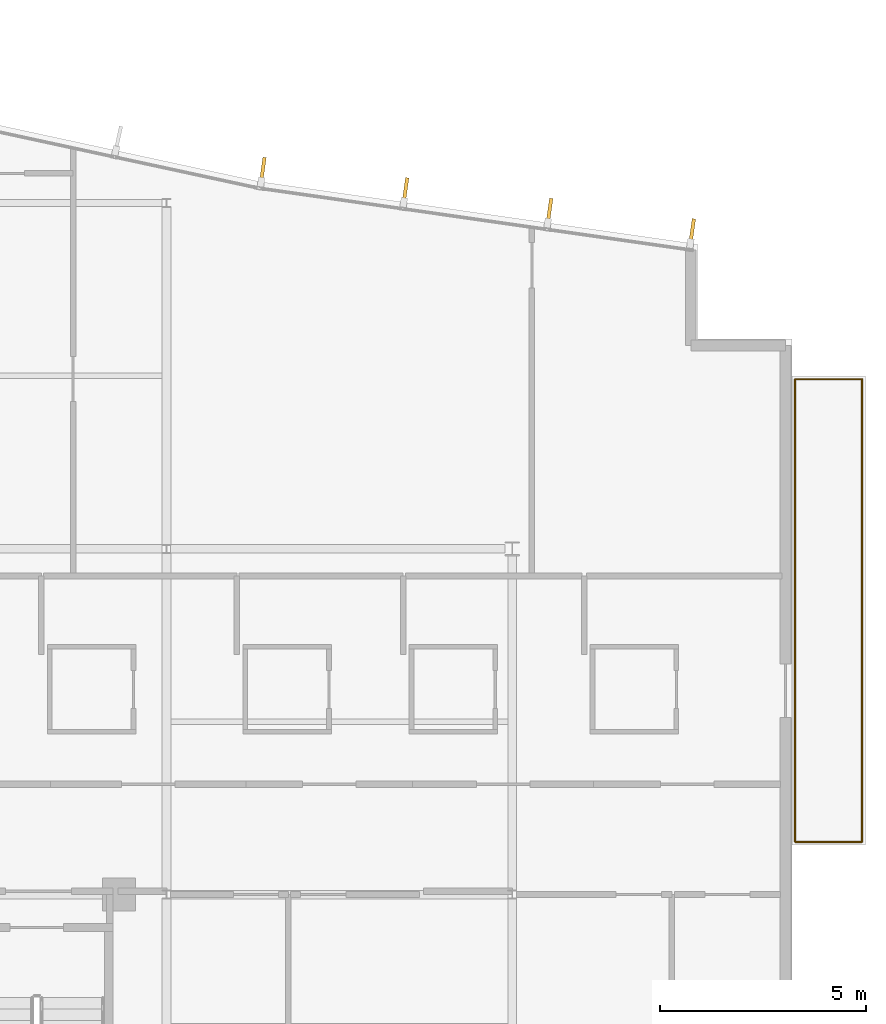
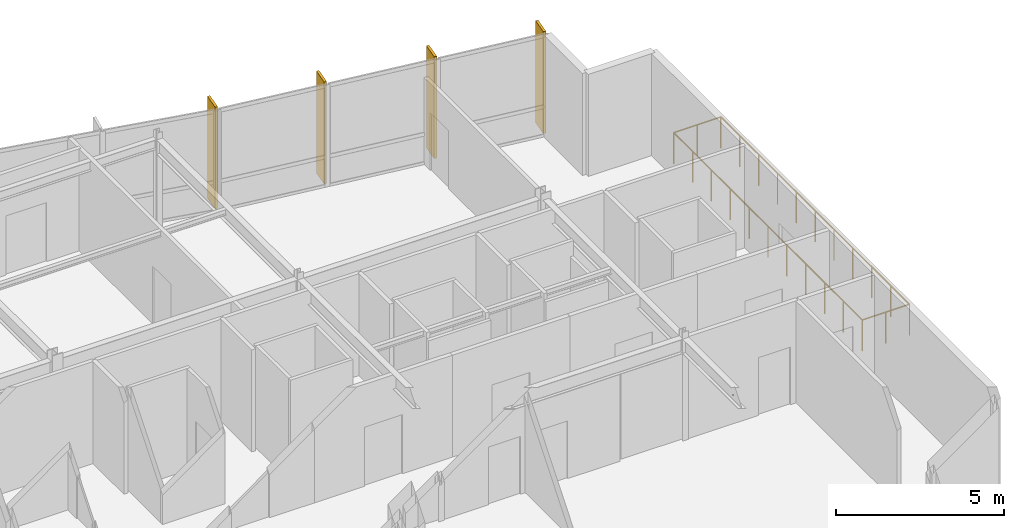
# One storey, part 15 of 16: 4 railings, 4 shading devices.
"""IFC4 building model written with IfcOpenShell, lengths in metres."""

from ifc_helpers import new_model, si_unit, direction, frame, origin, origin_2d, place, context, subcontext, project, spatial, rectangle, circle, extrude, material, layer, layer_set, type_object, element, save


model = new_model("IFC4")

# Units and contexts
model_context = context("Model", 3, precision=1e-05, world=origin(), true_north=direction((0.0, 1.0)))
body_context = subcontext(model_context, "Body", "Model", "MODEL_VIEW")
ifc_project = project(units=[si_unit("LENGTHUNIT", "METRE"), si_unit("AREAUNIT", "SQUARE_METRE"), si_unit("VOLUMEUNIT", "CUBIC_METRE"), si_unit("PLANEANGLEUNIT", "RADIAN"), si_unit("MASSUNIT", "GRAM", prefix="KILO")], contexts=[model_context])

# Site, building, storey
site_placement = place(None, origin())
site = spatial("IfcSite", under=ifc_project, at=site_placement, CompositionType="ELEMENT")
building_placement = place(site_placement, origin())
building = spatial("IfcBuilding", under=site, at=building_placement, Name="Varnakote Quay Hospital", CompositionType="ELEMENT")
storey_placement = place(building_placement, frame((0.0, 0.0, 296.050048828125)))
storey = spatial("IfcBuildingStorey", under=building, at=storey_placement, Name="L73", CompositionType="ELEMENT", Elevation=296.050048828125)

# Railings
ifc_material_1 = material(Name="Anodised aluminium 6063-T6 Bronze", Category="aluminium")
railing_type = type_object("IfcRailingType", Name="RLG-EXT-GUARD-1150", PredefinedType="GUARDRAIL", material=ifc_material_1)
railing_1_placement = place(storey_placement, frame((40.47607421875, 13.280029296875, 0.0)))
element("IfcRailing", 1, at=railing_1_placement, inside=storey, type_object=railing_type, Name="L73 Zigzag Prow Healing Terrace Safety Guard", PredefinedType="GUARDRAIL", context=body_context, shape_type="SweptSolid", body=[
    extrude(circle(Radius=0.02392578125, at=origin_2d()), frame((0.0, 0.0, 1.1259765625), z_axis=(0.0, 1.0, 0.0), x_axis=(-1.0, 0.0, 0.0)), (0.0, 0.0, 1.0), 11.239990234375),
    extrude(circle(Radius=0.02099609375, at=origin_2d()), origin(), (0.0, 0.0, 1.0), 1.101806640625),
    extrude(circle(Radius=0.02099609375, at=origin_2d()), frame((0.0, 1.1240234375, 0.0)), (0.0, 0.0, 1.0), 1.101806640625),
    extrude(circle(Radius=0.02099609375, at=origin_2d()), frame((0.0, 2.248046875, 0.0)), (0.0, 0.0, 1.0), 1.101806640625),
    extrude(circle(Radius=0.02099609375, at=origin_2d()), frame((0.0, 3.3720703125, 0.0)), (0.0, 0.0, 1.0), 1.101806640625),
    extrude(circle(Radius=0.02099609375, at=origin_2d()), frame((0.0, 4.49609375, 0.0)), (0.0, 0.0, 1.0), 1.101806640625),
    extrude(circle(Radius=0.02099609375, at=origin_2d()), frame((0.0, 5.6201171875, 0.0)), (0.0, 0.0, 1.0), 1.101806640625),
    extrude(circle(Radius=0.02099609375, at=origin_2d()), frame((0.0, 6.743896484375, 0.0)), (0.0, 0.0, 1.0), 1.101806640625),
    extrude(circle(Radius=0.02099609375, at=origin_2d()), frame((0.0, 7.867919921875, 0.0)), (0.0, 0.0, 1.0), 1.101806640625),
    extrude(circle(Radius=0.02099609375, at=origin_2d()), frame((0.0, 8.991943359375, 0.0)), (0.0, 0.0, 1.0), 1.101806640625),
    extrude(circle(Radius=0.02099609375, at=origin_2d()), frame((0.0, 10.115966796875, 0.0)), (0.0, 0.0, 1.0), 1.101806640625),
    extrude(circle(Radius=0.02099609375, at=origin_2d()), frame((0.0, 11.239990234375, 0.0)), (0.0, 0.0, 1.0), 1.101806640625),
])
railing_2_placement = place(storey_placement, frame((40.47607421875, 24.52001953125, 0.0)))
element("IfcRailing", 2, at=railing_2_placement, inside=storey, type_object=railing_type, Name="L73 Zigzag Prow Healing Terrace Safety Guard", PredefinedType="GUARDRAIL", context=body_context, shape_type="SweptSolid", body=[
    extrude(circle(Radius=0.02392578125, at=origin_2d()), frame((0.0, 0.0, 1.1259765625), z_axis=(1.0, 0.0, 0.0), x_axis=(0.0, 1.0, 0.0)), (0.0, 0.0, 1.0), 1.6240234375),
    extrude(circle(Radius=0.02099609375, at=origin_2d()), origin(), (0.0, 0.0, 1.0), 1.101806640625),
    extrude(circle(Radius=0.02099609375, at=origin_2d()), frame((0.81201171875, 0.0, 0.0)), (0.0, 0.0, 1.0), 1.101806640625),
    extrude(circle(Radius=0.02099609375, at=origin_2d()), frame((1.6240234375, 0.0, 0.0)), (0.0, 0.0, 1.0), 1.101806640625),
])
railing_3_placement = place(storey_placement, frame((42.10009765625, 24.52001953125, 0.0)))
element("IfcRailing", 3, at=railing_3_placement, inside=storey, type_object=railing_type, Name="L73 Zigzag Prow Healing Terrace Safety Guard", PredefinedType="GUARDRAIL", context=body_context, shape_type="SweptSolid", body=[
    extrude(circle(Radius=0.02392578125, at=origin_2d()), frame((0.0, 0.0, 1.1259765625), z_axis=(0.0, -1.0, 0.0), x_axis=(1.0, 0.0, 0.0)), (0.0, 0.0, 1.0), 11.239990234375),
    extrude(circle(Radius=0.02099609375, at=origin_2d()), origin(), (0.0, 0.0, 1.0), 1.101806640625),
    extrude(circle(Radius=0.02099609375, at=origin_2d()), frame((0.0, -1.1240234375, 0.0)), (0.0, 0.0, 1.0), 1.101806640625),
    extrude(circle(Radius=0.02099609375, at=origin_2d()), frame((0.0, -2.248046875, 0.0)), (0.0, 0.0, 1.0), 1.101806640625),
    extrude(circle(Radius=0.02099609375, at=origin_2d()), frame((0.0, -3.3720703125, 0.0)), (0.0, 0.0, 1.0), 1.101806640625),
    extrude(circle(Radius=0.02099609375, at=origin_2d()), frame((0.0, -4.49609375, 0.0)), (0.0, 0.0, 1.0), 1.101806640625),
    extrude(circle(Radius=0.02099609375, at=origin_2d()), frame((0.0, -5.6201171875, 0.0)), (0.0, 0.0, 1.0), 1.101806640625),
    extrude(circle(Radius=0.02099609375, at=origin_2d()), frame((0.0, -6.743896484375, 0.0)), (0.0, 0.0, 1.0), 1.101806640625),
    extrude(circle(Radius=0.02099609375, at=origin_2d()), frame((0.0, -7.867919921875, 0.0)), (0.0, 0.0, 1.0), 1.101806640625),
    extrude(circle(Radius=0.02099609375, at=origin_2d()), frame((0.0, -8.991943359375, 0.0)), (0.0, 0.0, 1.0), 1.101806640625),
    extrude(circle(Radius=0.02099609375, at=origin_2d()), frame((0.0, -10.115966796875, 0.0)), (0.0, 0.0, 1.0), 1.101806640625),
    extrude(circle(Radius=0.02099609375, at=origin_2d()), frame((0.0, -11.239990234375, 0.0)), (0.0, 0.0, 1.0), 1.101806640625),
])
railing_4_placement = place(storey_placement, frame((42.10009765625, 13.280029296875, 0.0)))
element("IfcRailing", 4, at=railing_4_placement, inside=storey, type_object=railing_type, Name="L73 Zigzag Prow Healing Terrace Safety Guard", PredefinedType="GUARDRAIL", context=body_context, shape_type="SweptSolid", body=[
    extrude(circle(Radius=0.02392578125, at=origin_2d()), frame((0.0, 0.0, 1.1259765625), z_axis=(-1.0, 0.0, 0.0), x_axis=(0.0, -1.0, 0.0)), (0.0, 0.0, 1.0), 1.6240234375),
    extrude(circle(Radius=0.02099609375, at=origin_2d()), origin(), (0.0, 0.0, 1.0), 1.101806640625),
    extrude(circle(Radius=0.02099609375, at=origin_2d()), frame((-0.81201171875, 0.0, 0.0)), (0.0, 0.0, 1.0), 1.101806640625),
    extrude(circle(Radius=0.02099609375, at=origin_2d()), frame((-1.6240234375, 0.0, 0.0)), (0.0, 0.0, 1.0), 1.101806640625),
])

# Shading devices
ifc_material_2 = material(Name="Anodised aluminium 6063-T6 Bronze", Category="aluminium")
ifc_layer = layer(ifc_material_2, 0.0849609375)
ifc_layer_set = layer_set([ifc_layer], Name="Anodised aluminium 6063-T6 Bronze")
shading_device_type = type_object("IfcShadingDeviceType", Name="SHD-BRONZE-FIN-620", PredefinedType="USERDEFINED", material=ifc_layer_set)
for number, where, z_axis, x_axis, name in (
    (5, (37.971435546875, 28.111328125, 0.0), (0.0, 0.0, 1.0), (-0.141592364445, -0.989925048845, 0.0), "L73 Anodised Bronze Vertical Shading FIN"),
    (6, (34.5048828125, 28.607177734375, 0.0), (0.0, 0.0, 1.0), (-0.141592364445, -0.989925048845, 0.0), "L73 Anodised Bronze Vertical Shading FIN"),
    (7, (31.006103515625, 29.107421875, 0.0), (0.0, 0.0, 1.0), (-0.141592364445, -0.989925048845, 0.0), "L73 Anodised Bronze Vertical Shading FIN"),
    (8, (27.53955078125, 29.603271484375, 0.0), (0.0, 0.0, 1.0), (-0.141592364445, -0.989925048845, 0.0), "L73 Anodised Bronze Vertical Shading FIN"),
):
    element("IfcShadingDevice", number, at=place(storey_placement, frame(where, z_axis=z_axis, x_axis=x_axis)), inside=storey, type_object=shading_device_type, Name=name, ObjectType="FIN", PredefinedType="USERDEFINED", context=body_context, shape_type="SweptSolid", body=[
        extrude(rectangle(XDim=0.6201171875, YDim=0.0849609375, at=origin_2d()), origin(), (0.0, 0.0, 1.0), 3.7099609375),
    ])

save(model, "model.ifc")
